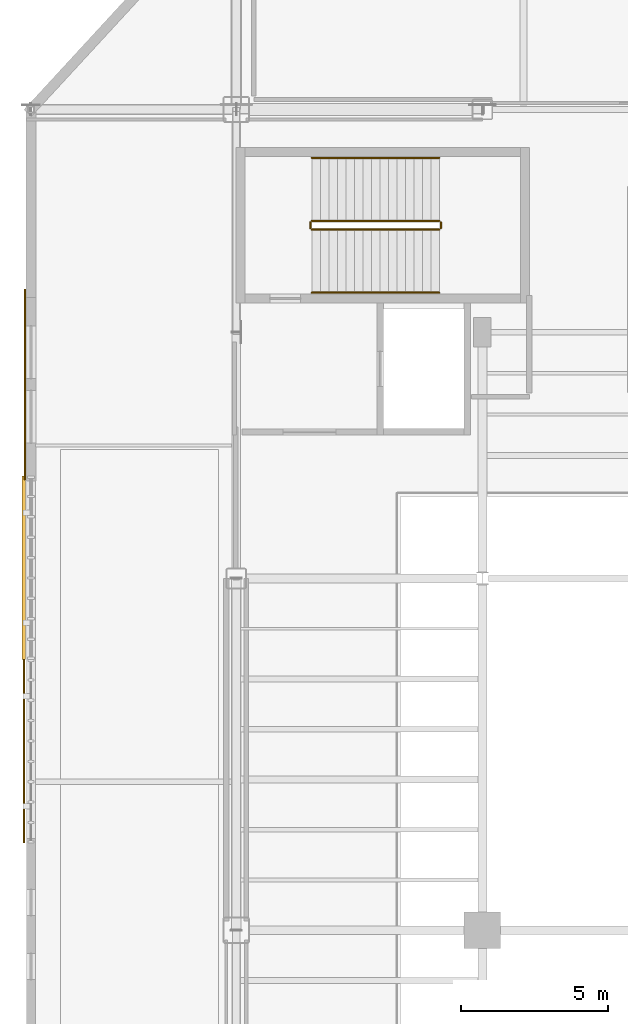
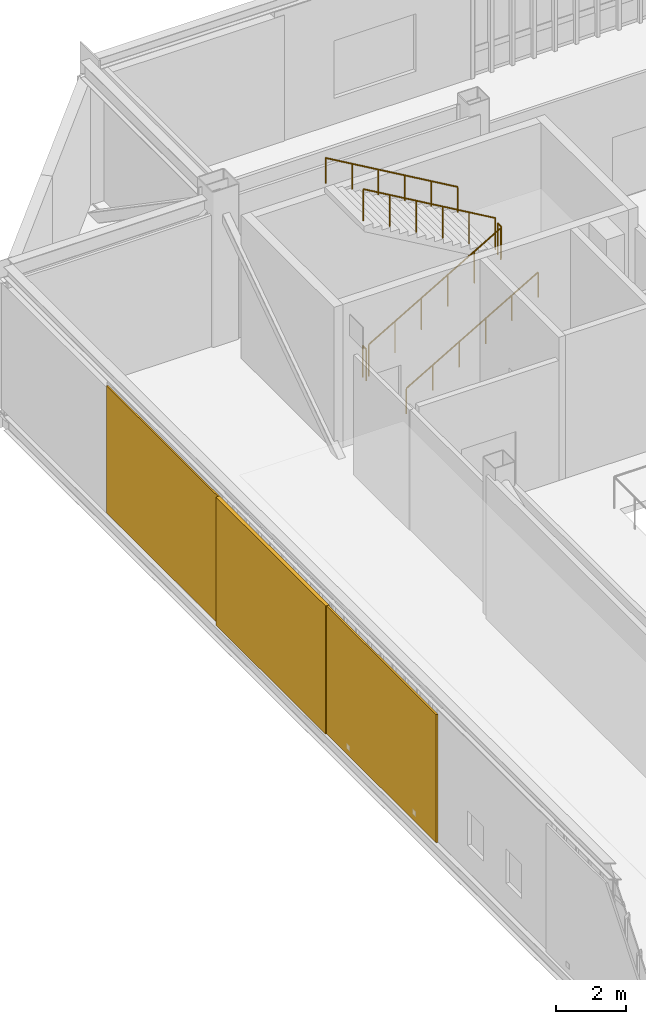
# One storey, part 124 of 127: 6 railings, 2 shading devices, 1 covering.
"""IFC4 building model written with IfcOpenShell, lengths in metres."""

import ifcopenshell
import ifcopenshell.guid

model = None  # the IFC model being written
_history = None  # IfcOwnerHistory: only IFC2X3 demands one
_inside = {}  # id of a spatial element -> (the spatial element, [elements in it])
_under = {}  # id of a project, library or spatial element -> (it, [spatial elements below it])
_declared = {}  # id of a project -> (the project, [libraries it declares])
_typed = {}  # id of a type object -> (the type object, [elements of that type])
_made_of = {}  # id of a material, layer set ... -> (it, [elements and type objects made of it])


def new_model(schema):
    """Start an empty IFC model of exactly this schema.

    Asked for "IFC4X3", IfcOpenShell would pick the latest addendum, in which some entities
    have other attributes; the version numbers below select the first issue.
    IFC2X3 requires an IfcOwnerHistory on every rooted entity: one is made here for all.
    """
    global model, _history
    if schema == "IFC4X3":
        model = ifcopenshell.file(schema_version=(4, 3, 0, 0))
    else:
        model = ifcopenshell.file(schema=schema)
    _inside.clear()
    _under.clear()
    _declared.clear()
    _typed.clear()
    _made_of.clear()
    _history = None
    if model.schema == "IFC2X3":
        org = make("IfcOrganization", Name="unknown")
        user = make(
            "IfcPersonAndOrganization",
            ThePerson=make("IfcPerson", FamilyName="unknown"),
            TheOrganization=org,
        )
        app = make(
            "IfcApplication",
            ApplicationDeveloper=org,
            Version="unknown",
            ApplicationFullName="unknown",
            ApplicationIdentifier="unknown",
        )
        _history = make(
            "IfcOwnerHistory",
            OwningUser=user,
            OwningApplication=app,
            ChangeAction="ADDED",
            CreationDate=0,
        )
    return model


def make(cls, **values):
    """One entity of the class cls with the attributes given. An attribute that is None is left unset."""
    return model.create_entity(
        cls, **{name: value for name, value in values.items() if value is not None}
    )


def rooted(cls, **values):
    """An entity with a GlobalId (a new one), such as an element, a storey or a relation."""
    return make(cls, GlobalId=ifcopenshell.guid.new(), OwnerHistory=_history, **values)


def si_unit(unit_type, name, prefix=None):
    """IfcSIUnit, for example si_unit("LENGTHUNIT", "METRE", prefix="MILLI")."""
    return make("IfcSIUnit", UnitType=unit_type, Prefix=prefix, Name=name)


def assignment(units):
    """IfcUnitAssignment: the units of a project."""
    return None if units is None else make("IfcUnitAssignment", Units=units)


def point(xyz):
    """IfcCartesianPoint."""
    return None if xyz is None else make("IfcCartesianPoint", Coordinates=xyz)


def direction(xyz):
    """IfcDirection."""
    return None if xyz is None else make("IfcDirection", DirectionRatios=xyz)


def frame(location, z_axis=None, x_axis=None):
    """IfcAxis2Placement3D, a coordinate frame: its origin and axes. An axis left out is left unset."""
    return make(
        "IfcAxis2Placement3D",
        Location=point(location),
        Axis=direction(z_axis),
        RefDirection=direction(x_axis),
    )


def frame_2d(location, x_axis=None):
    """IfcAxis2Placement2D, a coordinate frame in the plane: its origin and x axis."""
    return make(
        "IfcAxis2Placement2D", Location=point(location), RefDirection=direction(x_axis)
    )


def origin():
    """The frame at (0, 0, 0) with its axes left unset."""
    return frame((0.0, 0.0, 0.0))


def origin_2d():
    """The frame at (0, 0) in the plane with its x axis left unset."""
    return frame_2d((0.0, 0.0))


def place(relative_to, where):
    """IfcLocalPlacement: puts the frame where relative to a parent placement (None: the world)."""
    return make(
        "IfcLocalPlacement", PlacementRelTo=relative_to, RelativePlacement=where
    )


def context(
    kind, dimensions, precision=None, world=None, true_north=None, identifier=None
):
    """IfcGeometricRepresentationContext, for example the 3D "Model" context."""
    return make(
        "IfcGeometricRepresentationContext",
        ContextIdentifier=identifier,
        ContextType=kind,
        CoordinateSpaceDimension=dimensions,
        Precision=precision,
        WorldCoordinateSystem=world,
        TrueNorth=true_north,
    )


def subcontext(parent, identifier, kind, view, scale=None):
    """IfcGeometricRepresentationSubContext, for example "Body" below "Model"."""
    return make(
        "IfcGeometricRepresentationSubContext",
        ContextIdentifier=identifier,
        ContextType=kind,
        ParentContext=parent,
        TargetScale=scale,
        TargetView=view,
    )


def project(units=None, contexts=None):
    """IfcProject with its units and contexts."""
    return rooted(
        "IfcProject",
        Name="project",
        RepresentationContexts=contexts,
        UnitsInContext=assignment(units),
    )


def spatial(cls, under=None, at=None, **own):
    """A site, building, storey or space (cls), placed at a placement, below another one or the project."""
    s = rooted(cls, ObjectPlacement=at, **own)
    if under is not None:
        _under.setdefault(under.id(), (under, []))[1].append(s)
    return s


def profile(cls, at=None, kind="AREA", **sizes):
    """A parametric profile (cls). Its sizes go by their IFC names, for example OverallWidth=200.0."""
    return make(cls, ProfileType=kind, Position=at, **sizes)


def rectangle(**sizes):
    """IfcRectangleProfileDef."""
    return profile("IfcRectangleProfileDef", **sizes)


def circle(**sizes):
    """IfcCircleProfileDef."""
    return profile("IfcCircleProfileDef", **sizes)


def extrude(swept, where, along, depth):
    """IfcExtrudedAreaSolid: the profile swept, set in the frame where, extruded along a direction by depth."""
    return make(
        "IfcExtrudedAreaSolid",
        SweptArea=swept,
        Position=where,
        ExtrudedDirection=direction(along),
        Depth=depth,
    )


def shape(context_of_items, identifier, shape_type, items):
    """IfcShapeRepresentation: the items that make up one representation, for example the "Body"."""
    return make(
        "IfcShapeRepresentation",
        ContextOfItems=context_of_items,
        RepresentationIdentifier=identifier,
        RepresentationType=shape_type,
        Items=items,
    )


def material(Name=None, Category=None):
    """IfcMaterial."""
    return make("IfcMaterial", Name=Name, Category=Category)


def layer(
    of_material, thickness, ventilated=None, Name=None, Category=None, Priority=None
):
    """IfcMaterialLayer: one layer of a wall or slab, of a material (None: an air gap)."""
    return make(
        "IfcMaterialLayer",
        Material=of_material,
        LayerThickness=thickness,
        IsVentilated=ventilated,
        Name=Name,
        Category=Category,
        Priority=Priority,
    )


def layer_set(layers, Name=None):
    """IfcMaterialLayerSet."""
    return make("IfcMaterialLayerSet", MaterialLayers=layers, LayerSetName=Name)


def made_of(thing, what):
    """Note that an element or type object is made of a material, layer set ...; save() writes the relation."""
    if what is not None:
        _made_of.setdefault(what.id(), (what, []))[1].append(thing)
    return thing


def type_object(cls, material=None, **own):
    """A type object (cls), such as IfcWallType, which elements share."""
    return made_of(rooted(cls, **own), material)


def element(
    cls,
    number,
    at=None,
    inside=None,
    cuts=None,
    type_object=None,
    material=None,
    context=None,
    identifier="Body",
    shape_type=None,
    held_by="IfcProductDefinitionShape",
    body=None,
    shapes=None,
    **own,
):
    """One element of the class cls, such as IfcWall. Its Tag is "e" and its number.

    at: its placement. inside: the storey or other place that contains it. cuts: it is an
    opening in that element (IfcRelVoidsElement). A single representation is given by context,
    identifier, shape_type and body (its items); several are given by shapes. held_by: the class
    of the entity that holds the representations. save() writes the other relations.
    """
    e = rooted(cls, Tag="e%d" % number, ObjectPlacement=at, **own)
    if body is not None:
        shapes = [shape(context, identifier, shape_type, body)]
    if shapes is not None:
        e.Representation = make(held_by, Representations=shapes)
    if inside is not None:
        _inside.setdefault(inside.id(), (inside, []))[1].append(e)
    if cuts is not None:
        rooted(
            "IfcRelVoidsElement", RelatingBuildingElement=cuts, RelatedOpeningElement=e
        )
    if type_object is not None:
        _typed.setdefault(type_object.id(), (type_object, []))[1].append(e)
    return made_of(e, material)


def aggregate(whole, parts):
    """IfcRelAggregates: a whole, such as a stair, and the parts it consists of."""
    return rooted("IfcRelAggregates", RelatingObject=whole, RelatedObjects=parts)


def save(model, path):
    """Write the relations noted so far, then the file.

    IfcRelAggregates (storeys below a building ...), IfcRelContainedInSpatialStructure (elements
    in a storey), IfcRelDefinesByType, IfcRelAssociatesMaterial and IfcRelDeclares: one each for
    every whole, place, type object, material and project.
    """
    for whole, parts in _under.values():
        aggregate(whole, parts)
    for where, things in _inside.values():
        rooted(
            "IfcRelContainedInSpatialStructure",
            RelatedElements=things,
            RelatingStructure=where,
        )
    for kind, things in _typed.values():
        rooted("IfcRelDefinesByType", RelatedObjects=things, RelatingType=kind)
    for what, things in _made_of.values():
        rooted("IfcRelAssociatesMaterial", RelatedObjects=things, RelatingMaterial=what)
    for by, libraries in _declared.values():
        rooted("IfcRelDeclares", RelatingContext=by, RelatedDefinitions=libraries)
    model.write(path)


model = new_model("IFC4")

# Units and contexts
model_context = context("Model", 3, precision=1e-05, world=origin(), true_north=direction((0.0, 1.0)))
body_context = subcontext(model_context, "Body", "Model", "MODEL_VIEW")
ifc_project = project(units=[si_unit("LENGTHUNIT", "METRE"), si_unit("AREAUNIT", "SQUARE_METRE"), si_unit("VOLUMEUNIT", "CUBIC_METRE"), si_unit("PLANEANGLEUNIT", "RADIAN"), si_unit("MASSUNIT", "GRAM", prefix="KILO")], contexts=[model_context])

# Site, building, storey
site_placement = place(None, origin())
site = spatial("IfcSite", under=ifc_project, at=site_placement, CompositionType="ELEMENT")
building_placement = place(site_placement, origin())
building = spatial("IfcBuilding", under=site, at=building_placement, Name="Larkvane Passage Sports Hall", CompositionType="ELEMENT")
storey_placement = place(building_placement, frame((0.0, 0.0, 5.39990234375)))
storey = spatial("IfcBuildingStorey", under=building, at=storey_placement, Name="L01", CompositionType="ELEMENT", Elevation=5.39990234375)

# Covering
ifc_material_1 = material(Name="Perforated anodised aluminium 5052-H32", Category="aluminium")
ifc_layer_1 = layer(ifc_material_1, 0.050048828125)
ifc_layer_set_1 = layer_set([ifc_layer_1], Name="Perforated anodised aluminium 5052-H32")
covering_type = type_object("IfcCoveringType", Name="COV-MESH-VEIL", PredefinedType="CLADDING", material=ifc_layer_set_1)
covering_placement = place(storey_placement, frame((27.6025390625, 82.21826171875, 0.0751953125), z_axis=(0.0, 0.0, 1.0), x_axis=(0.0, 1.0, 0.0)))
element("IfcCovering", 1, at=covering_placement, inside=storey, type_object=covering_type, Name="Perforated cladding cassette L01-068", PredefinedType="CLADDING", context=body_context, shape_type="SweptSolid", body=[
    extrude(rectangle(XDim=6.48583984375, YDim=0.050048828125, at=origin_2d()), origin(), (0.0, 0.0, 1.0), 4.427978515625),
])

# Railings
ifc_material_2 = material(Name="Steel S355JR", Category="steel")
railing_type_1 = type_object("IfcRailingType", Name="RL-GUARD-1120", PredefinedType="GUARDRAIL", material=ifc_material_2)
railing_1_placement = place(storey_placement, frame((37.3798828125, 87.5, 0.1689453125)))
element("IfcRailing", 2, at=railing_1_placement, inside=storey, type_object=railing_type_1, Name="L01 ST-02 stair guard 1", PredefinedType="GUARDRAIL", context=body_context, shape_type="SweptSolid", body=[
    extrude(circle(Radius=0.02392578125, at=origin_2d()), frame((0.001708984375, 0.0, 1.09716796875), z_axis=(0.864323800911, 0.0, 0.50293574856), x_axis=(0.0, 1.0, 0.0)), (0.0, 0.0, 1.0), 5.029052734375),
    extrude(circle(Radius=0.02099609375, at=origin_2d()), origin(), (0.0, 0.0, 1.0), 1.072021484375),
    extrude(circle(Radius=0.02099609375, at=origin_2d()), frame((0.8701171875, 0.0, 0.50634765625)), (0.0, 0.0, 1.0), 1.072021484375),
    extrude(circle(Radius=0.02099609375, at=origin_2d()), frame((1.739990234375, 0.0, 1.012451171875)), (0.0, 0.0, 1.0), 1.072021484375),
    extrude(circle(Radius=0.02099609375, at=origin_2d()), frame((2.610107421875, 0.0, 1.518798828125)), (0.0, 0.0, 1.0), 1.072021484375),
    extrude(circle(Radius=0.02099609375, at=origin_2d()), frame((3.47998046875, 0.0, 2.02490234375)), (0.0, 0.0, 1.0), 1.072021484375),
    extrude(circle(Radius=0.02099609375, at=origin_2d()), frame((4.35009765625, 0.0, 2.53125)), (0.0, 0.0, 1.0), 1.072021484375),
])
railing_2_placement = place(storey_placement, frame((41.780029296875, 87.550048828125, 2.7001953125)))
element("IfcRailing", 3, at=railing_2_placement, inside=storey, type_object=railing_type_1, Name="L01 ST-02 stair guard 2", PredefinedType="GUARDRAIL", context=body_context, shape_type="SweptSolid", body=[
    extrude(circle(Radius=0.02392578125, at=origin_2d()), frame((0.0, 0.001953125, 1.09619140625), z_axis=(0.0, 1.0, 0.0), x_axis=(-1.0, 0.0, 0.0)), (0.0, 0.0, 1.0), 0.196044921875),
    extrude(circle(Radius=0.02099609375, at=origin_2d()), origin(), (0.0, 0.0, 1.0), 1.072021484375),
    extrude(circle(Radius=0.02099609375, at=origin_2d()), frame((0.0, 0.199951171875, 0.0)), (0.0, 0.0, 1.0), 1.072021484375),
])
railing_3_placement = place(storey_placement, frame((41.72998046875, 87.800048828125, 2.868896484375)))
element("IfcRailing", 4, at=railing_3_placement, inside=storey, type_object=railing_type_1, Name="L01 ST-02 stair guard 3", PredefinedType="GUARDRAIL", context=body_context, shape_type="SweptSolid", body=[
    extrude(circle(Radius=0.02392578125, at=origin_2d()), frame((-0.001708984375, 0.0, 1.09716796875), z_axis=(-0.864323800911, 0.0, 0.50293574856), x_axis=(0.0, -1.0, 0.0)), (0.0, 0.0, 1.0), 5.029052734375),
    extrude(circle(Radius=0.02099609375, at=origin_2d()), origin(), (0.0, 0.0, 1.0), 1.072021484375),
    extrude(circle(Radius=0.02099609375, at=origin_2d()), frame((-0.8701171875, 0.0, 0.50634765625)), (0.0, 0.0, 1.0), 1.072021484375),
    extrude(circle(Radius=0.02099609375, at=origin_2d()), frame((-1.739990234375, 0.0, 1.012451171875)), (0.0, 0.0, 1.0), 1.072021484375),
    extrude(circle(Radius=0.02099609375, at=origin_2d()), frame((-2.610107421875, 0.0, 1.518798828125)), (0.0, 0.0, 1.0), 1.072021484375),
    extrude(circle(Radius=0.02099609375, at=origin_2d()), frame((-3.47998046875, 0.0, 2.02490234375)), (0.0, 0.0, 1.0), 1.072021484375),
    extrude(circle(Radius=0.02099609375, at=origin_2d()), frame((-4.35009765625, 0.0, 2.53125)), (0.0, 0.0, 1.0), 1.072021484375),
])
railing_4_placement = place(storey_placement, frame((37.330078125, 87.550048828125, 0.0)))
element("IfcRailing", 5, at=railing_4_placement, inside=storey, type_object=railing_type_1, Name="L01 ST-02 stair guard 4", PredefinedType="GUARDRAIL", context=body_context, shape_type="SweptSolid", body=[
    extrude(circle(Radius=0.02392578125, at=origin_2d()), frame((0.0, 0.001953125, 1.09619140625), z_axis=(0.0, 1.0, 0.0), x_axis=(-1.0, 0.0, 0.0)), (0.0, 0.0, 1.0), 0.196044921875),
    extrude(circle(Radius=0.02099609375, at=origin_2d()), origin(), (0.0, 0.0, 1.0), 1.072021484375),
    extrude(circle(Radius=0.02099609375, at=origin_2d()), frame((0.0, 0.199951171875, 0.0)), (0.0, 0.0, 1.0), 1.072021484375),
])
ifc_material_3 = material(Name="Stainless steel S355JR", Category="steel")
railing_type_2 = type_object("IfcRailingType", Name="RL-HAND-920", PredefinedType="HANDRAIL", material=ifc_material_3)
railing_5_placement = place(storey_placement, frame((37.3798828125, 85.35009765625, 0.1689453125)))
element("IfcRailing", 6, at=railing_5_placement, inside=storey, type_object=railing_type_2, Name="L01 ST-02 stair handrail 1", PredefinedType="HANDRAIL", context=body_context, shape_type="SweptSolid", body=[
    extrude(circle(Radius=0.02392578125, at=origin_2d()), frame((0.001708984375, 0.0, 0.876953125), z_axis=(0.864323800911, 0.0, 0.50293574856), x_axis=(0.0, 1.0, 0.0)), (0.0, 0.0, 1.0), 5.029052734375),
    extrude(circle(Radius=0.02099609375, at=origin_2d()), origin(), (0.0, 0.0, 1.0), 0.851806640625),
    extrude(circle(Radius=0.02099609375, at=origin_2d()), frame((0.8701171875, 0.0, 0.50634765625)), (0.0, 0.0, 1.0), 0.851806640625),
    extrude(circle(Radius=0.02099609375, at=origin_2d()), frame((1.739990234375, 0.0, 1.012451171875)), (0.0, 0.0, 1.0), 0.851806640625),
    extrude(circle(Radius=0.02099609375, at=origin_2d()), frame((2.610107421875, 0.0, 1.518798828125)), (0.0, 0.0, 1.0), 0.851806640625),
    extrude(circle(Radius=0.02099609375, at=origin_2d()), frame((3.47998046875, 0.0, 2.02490234375)), (0.0, 0.0, 1.0), 0.851806640625),
    extrude(circle(Radius=0.02099609375, at=origin_2d()), frame((4.35009765625, 0.0, 2.53125)), (0.0, 0.0, 1.0), 0.851806640625),
])
railing_6_placement = place(storey_placement, frame((41.72998046875, 89.949951171875, 2.868896484375)))
element("IfcRailing", 7, at=railing_6_placement, inside=storey, type_object=railing_type_2, Name="L01 ST-02 stair handrail 2", PredefinedType="HANDRAIL", context=body_context, shape_type="SweptSolid", body=[
    extrude(circle(Radius=0.02392578125, at=origin_2d()), frame((-0.001708984375, 0.0, 0.876953125), z_axis=(-0.864323800911, 0.0, 0.50293574856), x_axis=(0.0, -1.0, 0.0)), (0.0, 0.0, 1.0), 5.029052734375),
    extrude(circle(Radius=0.02099609375, at=origin_2d()), origin(), (0.0, 0.0, 1.0), 0.851806640625),
    extrude(circle(Radius=0.02099609375, at=origin_2d()), frame((-0.8701171875, 0.0, 0.50634765625)), (0.0, 0.0, 1.0), 0.851806640625),
    extrude(circle(Radius=0.02099609375, at=origin_2d()), frame((-1.739990234375, 0.0, 1.012451171875)), (0.0, 0.0, 1.0), 0.851806640625),
    extrude(circle(Radius=0.02099609375, at=origin_2d()), frame((-2.610107421875, 0.0, 1.518798828125)), (0.0, 0.0, 1.0), 0.851806640625),
    extrude(circle(Radius=0.02099609375, at=origin_2d()), frame((-3.47998046875, 0.0, 2.02490234375)), (0.0, 0.0, 1.0), 0.851806640625),
    extrude(circle(Radius=0.02099609375, at=origin_2d()), frame((-4.35009765625, 0.0, 2.53125)), (0.0, 0.0, 1.0), 0.851806640625),
])

# Shading devices
ifc_material_4 = material(Name="Extruded aluminium 6063-T6", Category="aluminium")
ifc_layer_2 = layer(ifc_material_4, 0.1201171875)
ifc_layer_set_2 = layer_set([ifc_layer_2], Name="Extruded aluminium 6063-T6")
shading_device_type_1 = type_object("IfcShadingDeviceType", Name="SHD-LOUVRE-STORM", PredefinedType="JALOUSIE", material=ifc_layer_set_2)
shading_device_1_placement = place(storey_placement, frame((27.56005859375, 75.963623046875, 0.06005859375), z_axis=(0.0, 0.0, 1.0), x_axis=(0.0, 1.0, 0.0)))
element("IfcShadingDevice", 8, at=shading_device_1_placement, inside=storey, type_object=shading_device_type_1, Name="Solar veil screen L01-024", PredefinedType="JALOUSIE", context=body_context, shape_type="SweptSolid", body=[
    extrude(rectangle(XDim=6.254638671875, YDim=0.1201171875, at=origin_2d()), origin(), (0.0, 0.0, 1.0), 4.4580078125),
])
ifc_layer_3 = layer(ifc_material_1, 0.06005859375)
ifc_layer_set_3 = layer_set([ifc_layer_3], Name="Perforated anodised aluminium 5052-H32")
shading_device_type_2 = type_object("IfcShadingDeviceType", Name="SHD-VEIL-PERF", PredefinedType="SHUTTER", material=ifc_layer_set_3)
shading_device_2_placement = place(storey_placement, frame((27.56005859375, 69.708984375, 0.06005859375), z_axis=(0.0, 0.0, 1.0), x_axis=(0.0, 1.0, 0.0)))
element("IfcShadingDevice", 9, at=shading_device_2_placement, inside=storey, type_object=shading_device_type_2, Name="Solar veil screen L01-023", PredefinedType="SHUTTER", context=body_context, shape_type="SweptSolid", body=[
    extrude(rectangle(XDim=6.254638671875, YDim=0.06005859375, at=origin_2d()), origin(), (0.0, 0.0, 1.0), 4.4580078125),
])

save(model, "model.ifc")
